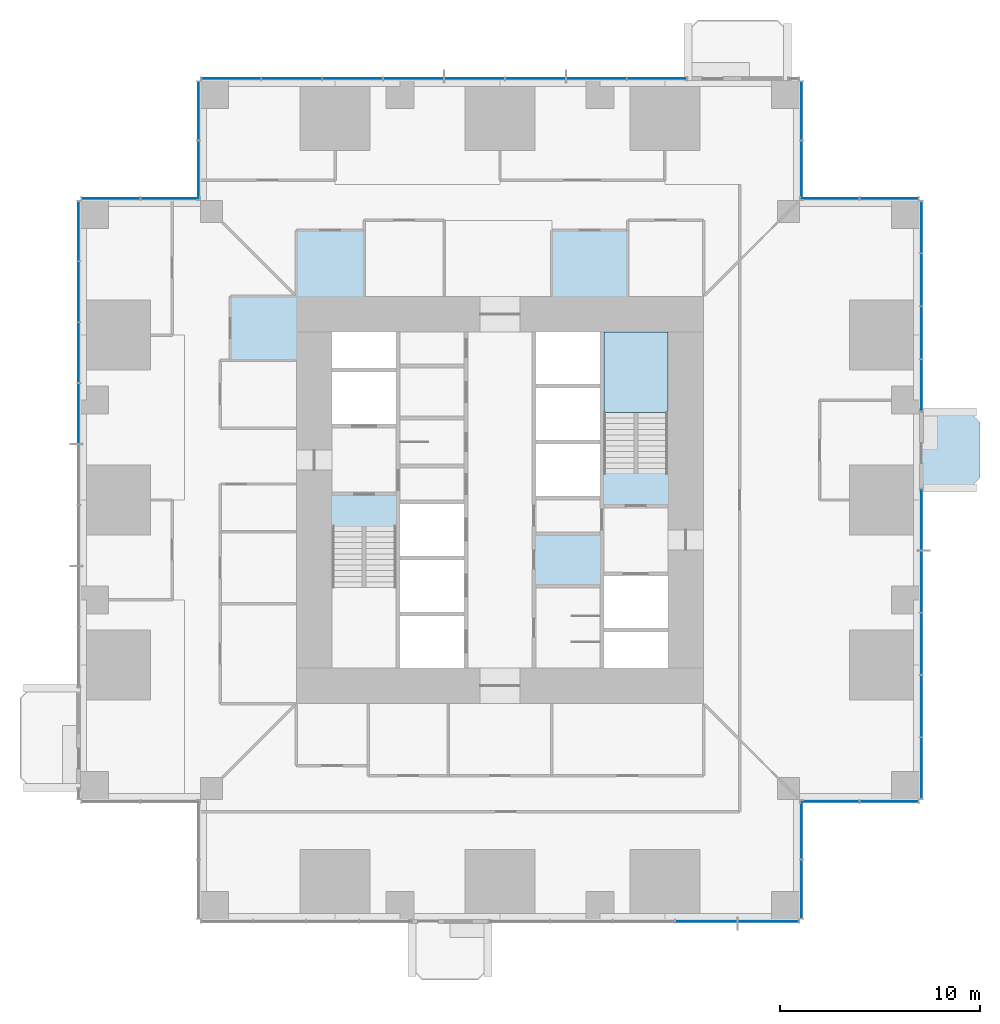
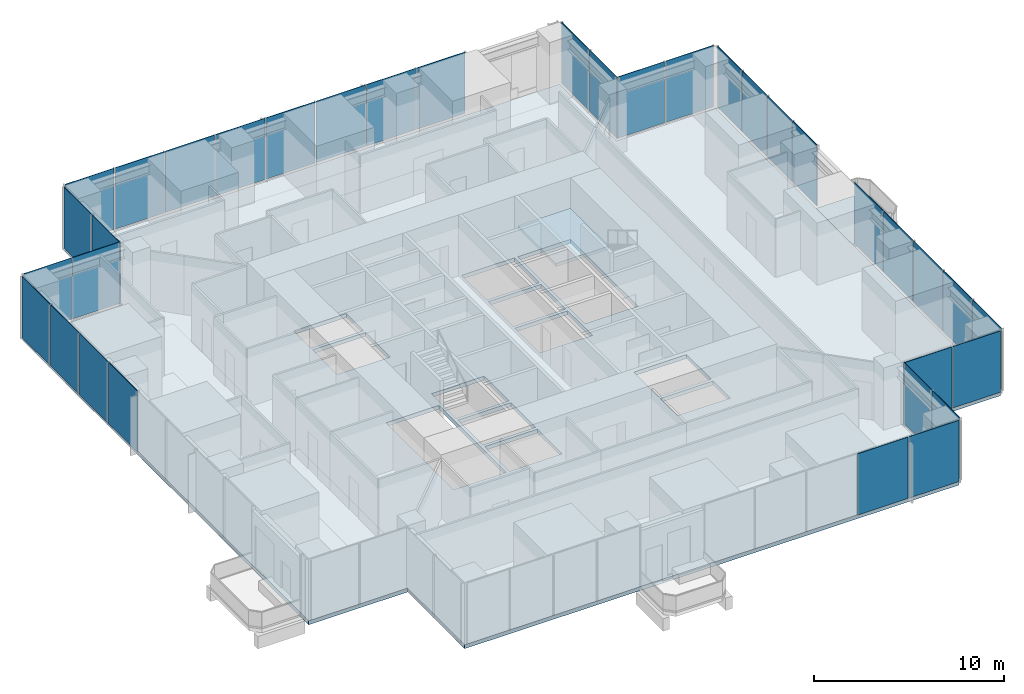
# One storey, part 9 of 17: 35 plates, 3 slabs, 12 elements without a shape of their own.
"""IFC4 building model written with IfcOpenShell, lengths in metres."""

from ifc_helpers import new_model, si_unit, direction, frame, origin, origin_2d, place, context, subcontext, project, spatial, polyline, rectangle, outline, extrude, material, layer, layer_set, type_object, element, aggregate, save


model = new_model("IFC4")

# Units and contexts
model_context = context("Model", 3, precision=1e-05, world=origin(), true_north=direction((0.0, 1.0)))
body_context = subcontext(model_context, "Body", "Model", "MODEL_VIEW")
ifc_project = project(units=[si_unit("LENGTHUNIT", "METRE"), si_unit("AREAUNIT", "SQUARE_METRE"), si_unit("VOLUMEUNIT", "CUBIC_METRE"), si_unit("PLANEANGLEUNIT", "RADIAN"), si_unit("MASSUNIT", "GRAM", prefix="KILO")], contexts=[model_context])

# Site, building, storey
site_placement = place(None, origin())
site = spatial("IfcSite", under=ifc_project, at=site_placement, CompositionType="ELEMENT")
building_placement = place(site_placement, origin())
building = spatial("IfcBuilding", under=site, at=building_placement, Name="Svetlomir Tower", CompositionType="ELEMENT")
storey_placement = place(building_placement, frame((0.0, 0.0, 30.5)))
storey = spatial("IfcBuildingStorey", under=building, at=storey_placement, Name="L06", CompositionType="ELEMENT", Elevation=30.5)

# Slab
ifc_material_1 = material(Name="Concrete C60/75", Category="concrete")
ifc_layer_1 = layer(ifc_material_1, 0.25)
ifc_layer_set_1 = layer_set([ifc_layer_1], Name="Concrete C60/75")
slab_type_1 = type_object("IfcSlabType", Name="BALCONY SLAB 250", PredefinedType="FLOOR", material=ifc_layer_set_1)
slab_1_placement = place(storey_placement, frame((0.0, 0.0, -0.25)))
element("IfcSlab", 1, at=slab_1_placement, inside=storey, type_object=slab_type_1, Name="L06 E planted balcony", PredefinedType="FLOOR", context=body_context, shape_type="SweptSolid", body=[
    extrude(outline(polyline([(42.0, 21.60009765625), (44.5, 21.60009765625), (45.0, 22.10009765625), (45.0, 24.89990234375), (44.5, 25.39990234375), (42.0, 25.39990234375), (42.0, 21.60009765625)])), origin(), (0.0, 0.0, 1.0), 0.25),
])

# Curtain wall, plates
ifc_material_2 = material(Name="Bronze anodised aluminium curtain wall", Category="aluminium")
curtain_wall_type = type_object("IfcCurtainWallType", Name="CURTAIN WALL CW1 TOWER OFFICE", PredefinedType="NOTDEFINED", material=ifc_material_2)
curtain_wall_1_placement = place(storey_placement, origin())
curtain_wall_1 = element("IfcCurtainWall", 2, at=curtain_wall_1_placement, inside=storey, type_object=curtain_wall_type, Name="Curtain wall CW1 L06", PredefinedType="NOTDEFINED")
ifc_material_3 = material(Name="Tinted double glazed unit", Category="glass")
ifc_layer_2 = layer(ifc_material_3, 0.031982421875)
ifc_layer_set_2 = layer_set([ifc_layer_2], Name="Tinted double glazed unit")
plate_type = type_object("IfcPlateType", Name="CW1 GLAZED PANEL 32", PredefinedType="CURTAIN_PANEL", material=ifc_layer_set_2)
plate_1_placement = place(storey_placement, frame((31.320068359375, -0.10009765625, 0.06494140625), z_axis=(0.0, 0.0, 1.0), x_axis=(1.0, 0.0, 0.0)))
plate_1 = element("IfcPlate", 3, at=plate_1_placement, type_object=plate_type, Name="CW1 panel 4.1", PredefinedType="CURTAIN_PANEL", context=body_context, shape_type="SweptSolid", body=[
    extrude(rectangle(XDim=3.054931640625, YDim=0.031982421875, at=origin_2d()), origin(), (0.0, 0.0, 1.0), 3.93505859375),
])
plate_2_placement = place(storey_placement, frame((34.423828125, -0.10009765625, 0.06494140625), z_axis=(0.0, 0.0, 1.0), x_axis=(1.0, 0.0, 0.0)))
plate_2 = element("IfcPlate", 4, at=plate_2_placement, type_object=plate_type, Name="CW1 panel 5.1", PredefinedType="CURTAIN_PANEL", context=body_context, shape_type="SweptSolid", body=[
    extrude(rectangle(XDim=3.0224609375, YDim=0.031982421875, at=origin_2d()), origin(), (0.0, 0.0, 1.0), 3.93505859375),
])
aggregate(curtain_wall_1, [plate_1, plate_2])

curtain_wall_2_placement = place(storey_placement, origin())
curtain_wall_2 = element("IfcCurtainWall", 5, at=curtain_wall_2_placement, inside=storey, type_object=curtain_wall_type, Name="Curtain wall CW1 L06", PredefinedType="NOTDEFINED")
plate_3_placement = place(storey_placement, frame((36.10009765625, 1.516357421875, 0.06494140625), z_axis=(0.0, 0.0, 1.0), x_axis=(0.0, 1.0, 0.0)))
plate_3 = element("IfcPlate", 6, at=plate_3_placement, type_object=plate_type, Name="CW1 panel 1.1", PredefinedType="CURTAIN_PANEL", context=body_context, shape_type="SweptSolid", body=[
    extrude(rectangle(XDim=2.902587890625, YDim=0.031982421875, at=origin_2d()), origin(), (0.0, 0.0, 1.0), 3.93505859375),
])
plate_4_placement = place(storey_placement, frame((36.10009765625, 4.483642578125, 0.06494140625), z_axis=(0.0, 0.0, 1.0), x_axis=(0.0, 1.0, 0.0)))
plate_4 = element("IfcPlate", 7, at=plate_4_placement, type_object=plate_type, Name="CW1 panel 2.1", PredefinedType="CURTAIN_PANEL", context=body_context, shape_type="SweptSolid", body=[
    extrude(rectangle(XDim=2.902587890625, YDim=0.031982421875, at=origin_2d()), origin(), (0.0, 0.0, 1.0), 3.93505859375),
])
aggregate(curtain_wall_2, [plate_3, plate_4])

curtain_wall_3_placement = place(storey_placement, origin())
curtain_wall_3 = element("IfcCurtainWall", 8, at=curtain_wall_3_placement, inside=storey, type_object=curtain_wall_type, Name="Curtain wall CW1 L06", PredefinedType="NOTDEFINED")
plate_5_placement = place(storey_placement, frame((37.516357421875, 5.89990234375, 0.06494140625), z_axis=(0.0, 0.0, 1.0), x_axis=(1.0, 0.0, 0.0)))
plate_5 = element("IfcPlate", 9, at=plate_5_placement, type_object=plate_type, Name="CW1 panel 1.1", PredefinedType="CURTAIN_PANEL", context=body_context, shape_type="SweptSolid", body=[
    extrude(rectangle(XDim=2.902587890625, YDim=0.031982421875, at=origin_2d()), origin(), (0.0, 0.0, 1.0), 3.93505859375),
])
plate_6_placement = place(storey_placement, frame((40.483642578125, 5.89990234375, 0.06494140625), z_axis=(0.0, 0.0, 1.0), x_axis=(1.0, 0.0, 0.0)))
plate_6 = element("IfcPlate", 10, at=plate_6_placement, type_object=plate_type, Name="CW1 panel 2.1", PredefinedType="CURTAIN_PANEL", context=body_context, shape_type="SweptSolid", body=[
    extrude(rectangle(XDim=2.902587890625, YDim=0.031982421875, at=origin_2d()), origin(), (0.0, 0.0, 1.0), 3.93505859375),
])
aggregate(curtain_wall_3, [plate_5, plate_6])

curtain_wall_4_placement = place(storey_placement, origin())
curtain_wall_4 = element("IfcCurtainWall", 11, at=curtain_wall_4_placement, inside=storey, type_object=curtain_wall_type, Name="Curtain wall CW1 L06", PredefinedType="NOTDEFINED")
plate_7_placement = place(storey_placement, frame((42.10009765625, 7.576171875, 0.06494140625), z_axis=(0.0, 0.0, 1.0), x_axis=(0.0, 1.0, 0.0)))
plate_7 = element("IfcPlate", 12, at=plate_7_placement, type_object=plate_type, Name="CW1 panel 1.1", PredefinedType="CURTAIN_PANEL", context=body_context, shape_type="SweptSolid", body=[
    extrude(rectangle(XDim=3.0224609375, YDim=0.031982421875, at=origin_2d()), origin(), (0.0, 0.0, 1.0), 3.93505859375),
])
plate_8_placement = place(storey_placement, frame((42.10009765625, 10.679931640625, 0.06494140625), z_axis=(0.0, 0.0, 1.0), x_axis=(0.0, 1.0, 0.0)))
plate_8 = element("IfcPlate", 13, at=plate_8_placement, type_object=plate_type, Name="CW1 panel 2.1", PredefinedType="CURTAIN_PANEL", context=body_context, shape_type="SweptSolid", body=[
    extrude(rectangle(XDim=3.054931640625, YDim=0.031982421875, at=origin_2d()), origin(), (0.0, 0.0, 1.0), 3.93505859375),
])
plate_9_placement = place(storey_placement, frame((42.10009765625, 13.800048828125, 0.06494140625), z_axis=(0.0, 0.0, 1.0), x_axis=(0.0, 1.0, 0.0)))
plate_9 = element("IfcPlate", 14, at=plate_9_placement, type_object=plate_type, Name="CW1 panel 3.1", PredefinedType="CURTAIN_PANEL", context=body_context, shape_type="SweptSolid", body=[
    extrude(rectangle(XDim=3.054931640625, YDim=0.031982421875, at=origin_2d()), origin(), (0.0, 0.0, 1.0), 3.93505859375),
])
plate_10_placement = place(storey_placement, frame((42.10009765625, 16.919921875, 0.06494140625), z_axis=(0.0, 0.0, 1.0), x_axis=(0.0, 1.0, 0.0)))
plate_10 = element("IfcPlate", 15, at=plate_10_placement, type_object=plate_type, Name="CW1 panel 4.1", PredefinedType="CURTAIN_PANEL", context=body_context, shape_type="SweptSolid", body=[
    extrude(rectangle(XDim=3.054931640625, YDim=0.031982421875, at=origin_2d()), origin(), (0.0, 0.0, 1.0), 3.93505859375),
])
plate_11_placement = place(storey_placement, frame((42.10009765625, 20.023681640625, 0.06494140625), z_axis=(0.0, 0.0, 1.0), x_axis=(0.0, 1.0, 0.0)))
plate_11 = element("IfcPlate", 16, at=plate_11_placement, type_object=plate_type, Name="CW1 panel 5.1", PredefinedType="CURTAIN_PANEL", context=body_context, shape_type="SweptSolid", body=[
    extrude(rectangle(XDim=3.0224609375, YDim=0.031982421875, at=origin_2d()), origin(), (0.0, 0.0, 1.0), 3.93505859375),
])
aggregate(curtain_wall_4, [plate_7, plate_8, plate_9, plate_10, plate_11])

curtain_wall_5_placement = place(storey_placement, origin())
curtain_wall_5 = element("IfcCurtainWall", 17, at=curtain_wall_5_placement, inside=storey, type_object=curtain_wall_type, Name="Curtain wall CW1 L06", PredefinedType="NOTDEFINED")
plate_12_placement = place(storey_placement, frame((42.10009765625, 26.7412109375, 0.06494140625), z_axis=(0.0, 0.0, 1.0), x_axis=(0.0, 1.0, 0.0)))
plate_12 = element("IfcPlate", 18, at=plate_12_placement, type_object=plate_type, Name="CW1 panel 1.1", PredefinedType="CURTAIN_PANEL", context=body_context, shape_type="SweptSolid", body=[
    extrude(rectangle(XDim=2.552490234375, YDim=0.031982421875, at=origin_2d()), origin(), (0.0, 0.0, 1.0), 3.93505859375),
])
plate_13_placement = place(storey_placement, frame((42.10009765625, 29.375, 0.06494140625), z_axis=(0.0, 0.0, 1.0), x_axis=(0.0, 1.0, 0.0)))
plate_13 = element("IfcPlate", 19, at=plate_13_placement, type_object=plate_type, Name="CW1 panel 2.1", PredefinedType="CURTAIN_PANEL", context=body_context, shape_type="SweptSolid", body=[
    extrude(rectangle(XDim=2.5849609375, YDim=0.031982421875, at=origin_2d()), origin(), (0.0, 0.0, 1.0), 3.93505859375),
])
plate_14_placement = place(storey_placement, frame((42.10009765625, 32.02490234375, 0.06494140625), z_axis=(0.0, 0.0, 1.0), x_axis=(0.0, 1.0, 0.0)))
plate_14 = element("IfcPlate", 20, at=plate_14_placement, type_object=plate_type, Name="CW1 panel 3.1", PredefinedType="CURTAIN_PANEL", context=body_context, shape_type="SweptSolid", body=[
    extrude(rectangle(XDim=2.5849609375, YDim=0.031982421875, at=origin_2d()), origin(), (0.0, 0.0, 1.0), 3.93505859375),
])
plate_15_placement = place(storey_placement, frame((42.10009765625, 34.65869140625, 0.06494140625), z_axis=(0.0, 0.0, 1.0), x_axis=(0.0, 1.0, 0.0)))
plate_15 = element("IfcPlate", 21, at=plate_15_placement, type_object=plate_type, Name="CW1 panel 4.1", PredefinedType="CURTAIN_PANEL", context=body_context, shape_type="SweptSolid", body=[
    extrude(rectangle(XDim=2.552490234375, YDim=0.031982421875, at=origin_2d()), origin(), (0.0, 0.0, 1.0), 3.93505859375),
])
aggregate(curtain_wall_5, [plate_12, plate_13, plate_14, plate_15])

curtain_wall_6_placement = place(storey_placement, origin())
curtain_wall_6 = element("IfcCurtainWall", 22, at=curtain_wall_6_placement, inside=storey, type_object=curtain_wall_type, Name="Curtain wall CW1 L06", PredefinedType="NOTDEFINED")
plate_16_placement = place(storey_placement, frame((40.483642578125, 36.10009765625, 0.06494140625), z_axis=(0.0, 0.0, 1.0), x_axis=(-1.0, 0.0, 0.0)))
plate_16 = element("IfcPlate", 23, at=plate_16_placement, type_object=plate_type, Name="CW1 panel 1.1", PredefinedType="CURTAIN_PANEL", context=body_context, shape_type="SweptSolid", body=[
    extrude(rectangle(XDim=2.902587890625, YDim=0.031982421875, at=origin_2d()), origin(), (0.0, 0.0, 1.0), 3.93505859375),
])
plate_17_placement = place(storey_placement, frame((37.516357421875, 36.10009765625, 0.06494140625), z_axis=(0.0, 0.0, 1.0), x_axis=(-1.0, 0.0, 0.0)))
plate_17 = element("IfcPlate", 24, at=plate_17_placement, type_object=plate_type, Name="CW1 panel 2.1", PredefinedType="CURTAIN_PANEL", context=body_context, shape_type="SweptSolid", body=[
    extrude(rectangle(XDim=2.902587890625, YDim=0.031982421875, at=origin_2d()), origin(), (0.0, 0.0, 1.0), 3.93505859375),
])
aggregate(curtain_wall_6, [plate_16, plate_17])

curtain_wall_7_placement = place(storey_placement, origin())
curtain_wall_7 = element("IfcCurtainWall", 25, at=curtain_wall_7_placement, inside=storey, type_object=curtain_wall_type, Name="Curtain wall CW1 L06", PredefinedType="NOTDEFINED")
plate_18_placement = place(storey_placement, frame((36.10009765625, 37.516357421875, 0.06494140625), z_axis=(0.0, 0.0, 1.0), x_axis=(0.0, 1.0, 0.0)))
plate_18 = element("IfcPlate", 26, at=plate_18_placement, type_object=plate_type, Name="CW1 panel 1.1", PredefinedType="CURTAIN_PANEL", context=body_context, shape_type="SweptSolid", body=[
    extrude(rectangle(XDim=2.902587890625, YDim=0.031982421875, at=origin_2d()), origin(), (0.0, 0.0, 1.0), 3.93505859375),
])
plate_19_placement = place(storey_placement, frame((36.10009765625, 40.483642578125, 0.06494140625), z_axis=(0.0, 0.0, 1.0), x_axis=(0.0, 1.0, 0.0)))
plate_19 = element("IfcPlate", 27, at=plate_19_placement, type_object=plate_type, Name="CW1 panel 2.1", PredefinedType="CURTAIN_PANEL", context=body_context, shape_type="SweptSolid", body=[
    extrude(rectangle(XDim=2.902587890625, YDim=0.031982421875, at=origin_2d()), origin(), (0.0, 0.0, 1.0), 3.93505859375),
])
aggregate(curtain_wall_7, [plate_18, plate_19])

curtain_wall_8_placement = place(storey_placement, origin())
curtain_wall_8 = element("IfcCurtainWall", 28, at=curtain_wall_8_placement, inside=storey, type_object=curtain_wall_type, Name="Curtain wall CW1 L06", PredefinedType="NOTDEFINED")
plate_20_placement = place(storey_placement, frame((28.858642578125, 42.10009765625, 0.06494140625), z_axis=(0.0, 0.0, 1.0), x_axis=(-1.0, 0.0, 0.0)))
plate_20 = element("IfcPlate", 29, at=plate_20_placement, type_object=plate_type, Name="CW1 panel 1.1", PredefinedType="CURTAIN_PANEL", context=body_context, shape_type="SweptSolid", body=[
    extrude(rectangle(XDim=2.952392578125, YDim=0.031982421875, at=origin_2d()), origin(), (0.0, 0.0, 1.0), 3.93505859375),
])
plate_21_placement = place(storey_placement, frame((25.824951171875, 42.10009765625, 0.06494140625), z_axis=(0.0, 0.0, 1.0), x_axis=(-1.0, 0.0, 0.0)))
plate_21 = element("IfcPlate", 30, at=plate_21_placement, type_object=plate_type, Name="CW1 panel 2.1", PredefinedType="CURTAIN_PANEL", context=body_context, shape_type="SweptSolid", body=[
    extrude(rectangle(XDim=2.985107421875, YDim=0.031982421875, at=origin_2d()), origin(), (0.0, 0.0, 1.0), 3.93505859375),
])
plate_22_placement = place(storey_placement, frame((22.77490234375, 42.10009765625, 0.06494140625), z_axis=(0.0, 0.0, 1.0), x_axis=(-1.0, 0.0, 0.0)))
plate_22 = element("IfcPlate", 31, at=plate_22_placement, type_object=plate_type, Name="CW1 panel 3.1", PredefinedType="CURTAIN_PANEL", context=body_context, shape_type="SweptSolid", body=[
    extrude(rectangle(XDim=2.985107421875, YDim=0.031982421875, at=origin_2d()), origin(), (0.0, 0.0, 1.0), 3.93505859375),
])
plate_23_placement = place(storey_placement, frame((19.72509765625, 42.10009765625, 0.06494140625), z_axis=(0.0, 0.0, 1.0), x_axis=(-1.0, 0.0, 0.0)))
plate_23 = element("IfcPlate", 32, at=plate_23_placement, type_object=plate_type, Name="CW1 panel 4.1", PredefinedType="CURTAIN_PANEL", context=body_context, shape_type="SweptSolid", body=[
    extrude(rectangle(XDim=2.985107421875, YDim=0.031982421875, at=origin_2d()), origin(), (0.0, 0.0, 1.0), 3.93505859375),
])
plate_24_placement = place(storey_placement, frame((16.675048828125, 42.10009765625, 0.06494140625), z_axis=(0.0, 0.0, 1.0), x_axis=(-1.0, 0.0, 0.0)))
plate_24 = element("IfcPlate", 33, at=plate_24_placement, type_object=plate_type, Name="CW1 panel 5.1", PredefinedType="CURTAIN_PANEL", context=body_context, shape_type="SweptSolid", body=[
    extrude(rectangle(XDim=2.985107421875, YDim=0.031982421875, at=origin_2d()), origin(), (0.0, 0.0, 1.0), 3.93505859375),
])
plate_25_placement = place(storey_placement, frame((13.625, 42.10009765625, 0.06494140625), z_axis=(0.0, 0.0, 1.0), x_axis=(-1.0, 0.0, 0.0)))
plate_25 = element("IfcPlate", 34, at=plate_25_placement, type_object=plate_type, Name="CW1 panel 6.1", PredefinedType="CURTAIN_PANEL", context=body_context, shape_type="SweptSolid", body=[
    extrude(rectangle(XDim=2.985107421875, YDim=0.031982421875, at=origin_2d()), origin(), (0.0, 0.0, 1.0), 3.93505859375),
])
plate_26_placement = place(storey_placement, frame((10.574951171875, 42.10009765625, 0.06494140625), z_axis=(0.0, 0.0, 1.0), x_axis=(-1.0, 0.0, 0.0)))
plate_26 = element("IfcPlate", 35, at=plate_26_placement, type_object=plate_type, Name="CW1 panel 7.1", PredefinedType="CURTAIN_PANEL", context=body_context, shape_type="SweptSolid", body=[
    extrude(rectangle(XDim=2.985107421875, YDim=0.031982421875, at=origin_2d()), origin(), (0.0, 0.0, 1.0), 3.93505859375),
])
plate_27_placement = place(storey_placement, frame((7.541259765625, 42.10009765625, 0.06494140625), z_axis=(0.0, 0.0, 1.0), x_axis=(-1.0, 0.0, 0.0)))
plate_27 = element("IfcPlate", 36, at=plate_27_placement, type_object=plate_type, Name="CW1 panel 8.1", PredefinedType="CURTAIN_PANEL", context=body_context, shape_type="SweptSolid", body=[
    extrude(rectangle(XDim=2.952392578125, YDim=0.031982421875, at=origin_2d()), origin(), (0.0, 0.0, 1.0), 3.93505859375),
])
aggregate(curtain_wall_8, [plate_20, plate_21, plate_22, plate_23, plate_24, plate_25, plate_26, plate_27])

curtain_wall_9_placement = place(storey_placement, origin())
curtain_wall_9 = element("IfcCurtainWall", 37, at=curtain_wall_9_placement, inside=storey, type_object=curtain_wall_type, Name="Curtain wall CW1 L06", PredefinedType="NOTDEFINED")
plate_28_placement = place(storey_placement, frame((5.89990234375, 40.483642578125, 0.06494140625), z_axis=(0.0, 0.0, 1.0), x_axis=(0.0, -1.0, 0.0)))
plate_28 = element("IfcPlate", 38, at=plate_28_placement, type_object=plate_type, Name="CW1 panel 1.1", PredefinedType="CURTAIN_PANEL", context=body_context, shape_type="SweptSolid", body=[
    extrude(rectangle(XDim=2.902587890625, YDim=0.031982421875, at=origin_2d()), origin(), (0.0, 0.0, 1.0), 3.93505859375),
])
plate_29_placement = place(storey_placement, frame((5.89990234375, 37.516357421875, 0.06494140625), z_axis=(0.0, 0.0, 1.0), x_axis=(0.0, -1.0, 0.0)))
plate_29 = element("IfcPlate", 39, at=plate_29_placement, type_object=plate_type, Name="CW1 panel 2.1", PredefinedType="CURTAIN_PANEL", context=body_context, shape_type="SweptSolid", body=[
    extrude(rectangle(XDim=2.902587890625, YDim=0.031982421875, at=origin_2d()), origin(), (0.0, 0.0, 1.0), 3.93505859375),
])
aggregate(curtain_wall_9, [plate_28, plate_29])

curtain_wall_10_placement = place(storey_placement, origin())
curtain_wall_10 = element("IfcCurtainWall", 40, at=curtain_wall_10_placement, inside=storey, type_object=curtain_wall_type, Name="Curtain wall CW1 L06", PredefinedType="NOTDEFINED")
plate_30_placement = place(storey_placement, frame((4.483642578125, 36.10009765625, 0.06494140625), z_axis=(0.0, 0.0, 1.0), x_axis=(-1.0, 0.0, 0.0)))
plate_30 = element("IfcPlate", 41, at=plate_30_placement, type_object=plate_type, Name="CW1 panel 1.1", PredefinedType="CURTAIN_PANEL", context=body_context, shape_type="SweptSolid", body=[
    extrude(rectangle(XDim=2.902587890625, YDim=0.031982421875, at=origin_2d()), origin(), (0.0, 0.0, 1.0), 3.93505859375),
])
plate_31_placement = place(storey_placement, frame((1.516357421875, 36.10009765625, 0.06494140625), z_axis=(0.0, 0.0, 1.0), x_axis=(-1.0, 0.0, 0.0)))
plate_31 = element("IfcPlate", 42, at=plate_31_placement, type_object=plate_type, Name="CW1 panel 2.1", PredefinedType="CURTAIN_PANEL", context=body_context, shape_type="SweptSolid", body=[
    extrude(rectangle(XDim=2.902587890625, YDim=0.031982421875, at=origin_2d()), origin(), (0.0, 0.0, 1.0), 3.93505859375),
])
aggregate(curtain_wall_10, [plate_30, plate_31])

curtain_wall_11_placement = place(storey_placement, origin())
curtain_wall_11 = element("IfcCurtainWall", 43, at=curtain_wall_11_placement, inside=storey, type_object=curtain_wall_type, Name="Curtain wall CW1 L06", PredefinedType="NOTDEFINED")
plate_32_placement = place(storey_placement, frame((-0.10009765625, 34.458740234375, 0.06494140625), z_axis=(0.0, 0.0, 1.0), x_axis=(0.0, -1.0, 0.0)))
plate_32 = element("IfcPlate", 44, at=plate_32_placement, type_object=plate_type, Name="CW1 panel 1.1", PredefinedType="CURTAIN_PANEL", context=body_context, shape_type="SweptSolid", body=[
    extrude(rectangle(XDim=2.952392578125, YDim=0.031982421875, at=origin_2d()), origin(), (0.0, 0.0, 1.0), 3.93505859375),
])
plate_33_placement = place(storey_placement, frame((-0.10009765625, 31.425048828125, 0.06494140625), z_axis=(0.0, 0.0, 1.0), x_axis=(0.0, -1.0, 0.0)))
plate_33 = element("IfcPlate", 45, at=plate_33_placement, type_object=plate_type, Name="CW1 panel 2.1", PredefinedType="CURTAIN_PANEL", context=body_context, shape_type="SweptSolid", body=[
    extrude(rectangle(XDim=2.985107421875, YDim=0.031982421875, at=origin_2d()), origin(), (0.0, 0.0, 1.0), 3.93505859375),
])
plate_34_placement = place(storey_placement, frame((-0.10009765625, 28.375, 0.06494140625), z_axis=(0.0, 0.0, 1.0), x_axis=(0.0, -1.0, 0.0)))
plate_34 = element("IfcPlate", 46, at=plate_34_placement, type_object=plate_type, Name="CW1 panel 3.1", PredefinedType="CURTAIN_PANEL", context=body_context, shape_type="SweptSolid", body=[
    extrude(rectangle(XDim=2.985107421875, YDim=0.031982421875, at=origin_2d()), origin(), (0.0, 0.0, 1.0), 3.93505859375),
])
plate_35_placement = place(storey_placement, frame((-0.10009765625, 25.324951171875, 0.06494140625), z_axis=(0.0, 0.0, 1.0), x_axis=(0.0, -1.0, 0.0)))
plate_35 = element("IfcPlate", 47, at=plate_35_placement, type_object=plate_type, Name="CW1 panel 4.1", PredefinedType="CURTAIN_PANEL", context=body_context, shape_type="SweptSolid", body=[
    extrude(rectangle(XDim=2.985107421875, YDim=0.031982421875, at=origin_2d()), origin(), (0.0, 0.0, 1.0), 3.93505859375),
])
aggregate(curtain_wall_11, [plate_32, plate_33, plate_34, plate_35])

# Slab
ifc_material_4 = material(Name="Concrete C60/75", Category="concrete")
ifc_layer_3 = layer(ifc_material_4, 0.25)
ifc_layer_set_3 = layer_set([ifc_layer_3], Name="Concrete C60/75")
slab_type_2 = type_object("IfcSlabType", Name="FLOOR SLAB 250", PredefinedType="FLOOR", material=ifc_layer_set_3)
slab_2_placement = place(storey_placement, frame((0.0, 0.0, -0.25)))
element("IfcSlab", 48, at=slab_2_placement, inside=storey, type_object=slab_type_2, Name="L06 floor slab", PredefinedType="FLOOR", context=body_context, shape_type="SweptSolid", body=[
    extrude(outline(polyline([(6.0, 0.0), (36.0, 0.0), (36.0, 6.0), (42.0, 6.0), (42.0, 36.0), (36.0, 36.0), (36.0, 42.0), (6.0, 42.0), (6.0, 36.0), (0.0, 36.0), (0.0, 6.0), (6.0, 6.0), (6.0, 0.0)]), holes=[polyline([(12.60009765625, 24.800048828125), (15.800048828125, 24.800048828125), (15.800048828125, 27.39990234375), (12.60009765625, 27.39990234375), (12.60009765625, 24.800048828125)]), polyline([(26.199951171875, 14.60009765625), (29.39990234375, 14.60009765625), (29.39990234375, 17.199951171875), (26.199951171875, 17.199951171875), (26.199951171875, 14.60009765625)]), polyline([(16.0, 12.60009765625), (19.199951171875, 12.60009765625), (19.199951171875, 15.199951171875), (16.0, 15.199951171875), (16.0, 12.60009765625)]), polyline([(16.0, 15.39990234375), (19.199951171875, 15.39990234375), (19.199951171875, 18.0), (16.0, 18.0), (16.0, 15.39990234375)]), polyline([(16.0, 18.199951171875), (19.199951171875, 18.199951171875), (19.199951171875, 20.800048828125), (16.0, 20.800048828125), (16.0, 18.199951171875)]), polyline([(22.800048828125, 21.199951171875), (26.0, 21.199951171875), (26.0, 23.800048828125), (22.800048828125, 23.800048828125), (22.800048828125, 21.199951171875)]), polyline([(22.800048828125, 24.0), (26.0, 24.0), (26.0, 26.60009765625), (22.800048828125, 26.60009765625), (22.800048828125, 24.0)]), polyline([(22.800048828125, 26.800048828125), (26.0, 26.800048828125), (26.0, 29.39990234375), (22.800048828125, 29.39990234375), (22.800048828125, 26.800048828125)]), polyline([(12.60009765625, 27.60009765625), (15.800048828125, 27.60009765625), (15.800048828125, 29.39990234375), (12.60009765625, 29.39990234375), (12.60009765625, 27.60009765625)]), polyline([(26.199951171875, 12.60009765625), (29.39990234375, 12.60009765625), (29.39990234375, 14.39990234375), (26.199951171875, 14.39990234375), (26.199951171875, 12.60009765625)]), polyline([(12.60009765625, 12.60009765625), (15.800048828125, 12.60009765625), (15.800048828125, 19.679931640625), (12.60009765625, 19.679931640625), (12.60009765625, 12.60009765625)]), polyline([(26.199951171875, 22.320068359375), (29.39990234375, 22.320068359375), (29.39990234375, 29.39990234375), (26.199951171875, 29.39990234375), (26.199951171875, 22.320068359375)])]), origin(), (0.0, 0.0, 1.0), 0.25),
])

# Stair, slab
ifc_material_5 = material(Name="Concrete C60/75", Category="concrete")
stair_type = type_object("IfcStairType", Name="EXIT STAIR 3200 RISE 4000", PredefinedType="HALF_TURN_STAIR", material=ifc_material_5)
stair_placement = place(storey_placement, origin())
stair = element("IfcStair", 49, at=stair_placement, inside=storey, type_object=stair_type, Name="Stair S2 L06 to L07", PredefinedType="HALF_TURN_STAIR")
ifc_material_6 = material(Name="Concrete C60/75", Category="concrete")
ifc_layer_4 = layer(ifc_material_6, 0.199951171875)
ifc_layer_set_4 = layer_set([ifc_layer_4], Name="Concrete C60/75")
slab_type_3 = type_object("IfcSlabType", Name="STAIR LANDING 200", PredefinedType="LANDING", material=ifc_layer_set_4)
slab_3_placement = place(storey_placement, frame((0.0, 0.0, 1.800048828125)))
slab_3 = element("IfcSlab", 50, at=slab_3_placement, type_object=slab_type_3, Name="S2 landing 1", PredefinedType="LANDING", context=body_context, shape_type="SweptSolid", body=[
    extrude(outline(polyline([(26.199951171875, 25.3798828125), (29.39990234375, 25.3798828125), (29.39990234375, 29.39990234375), (26.199951171875, 29.39990234375), (26.199951171875, 25.3798828125)])), origin(), (0.0, 0.0, 1.0), 0.199951171875),
])
aggregate(stair, [slab_3])

save(model, "model.ifc")
